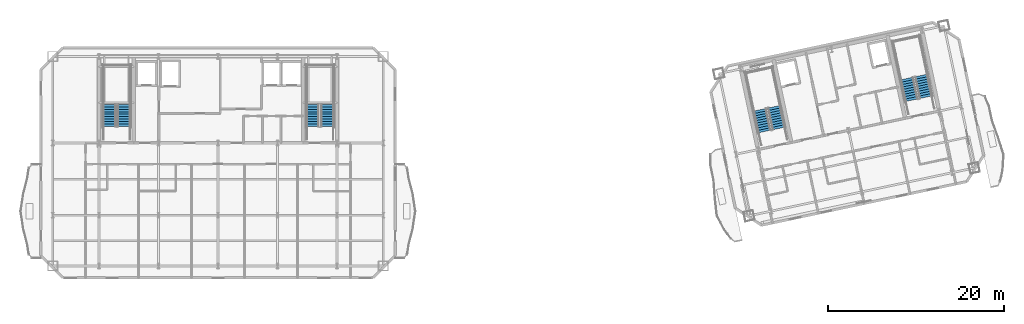
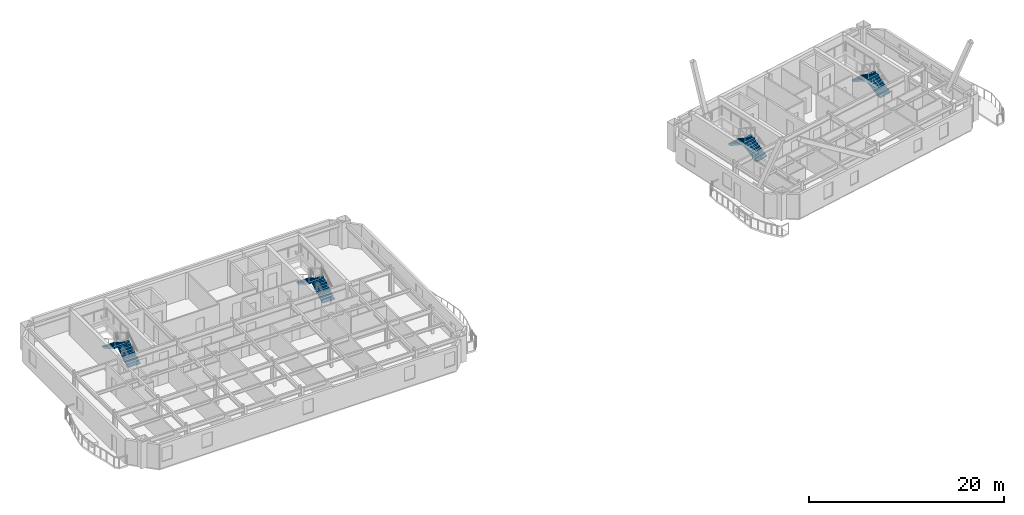
# One storey, part 9 of 13: 8 stair flights, 4 elements without a shape of their own.
"""IFC4 building model written with IfcOpenShell, lengths in metres."""

from ifc_helpers import new_model, si_unit, direction, frame, origin, place, context, subcontext, project, spatial, polyline, outline, extrude, material, type_object, element, aggregate, save


model = new_model("IFC4")

# Units and contexts
model_context = context("Model", 3, precision=1e-05, world=origin(), true_north=direction((0.0, 1.0)))
body_context = subcontext(model_context, "Body", "Model", "MODEL_VIEW")
ifc_project = project(units=[si_unit("LENGTHUNIT", "METRE"), si_unit("AREAUNIT", "SQUARE_METRE"), si_unit("VOLUMEUNIT", "CUBIC_METRE"), si_unit("PLANEANGLEUNIT", "RADIAN"), si_unit("MASSUNIT", "GRAM", prefix="KILO")], contexts=[model_context])

# Site, building, storey
site_placement = place(None, origin())
site = spatial("IfcSite", under=ifc_project, at=site_placement, CompositionType="ELEMENT")
building_placement = place(site_placement, origin())
building = spatial("IfcBuilding", under=site, at=building_placement, Name="Haevon Station Towers", CompositionType="ELEMENT")
storey_placement = place(building_placement, frame((0.0, 0.0, 225.300048828125)))
storey = spatial("IfcBuildingStorey", under=building, at=storey_placement, Name="L62", CompositionType="ELEMENT", Elevation=225.300048828125)

# Stair, stair flights
ifc_material = material(Name="Concrete C40/50", Category="concrete")
stair_type = type_object("IfcStairType", Name="STR-DL1450", PredefinedType="USERDEFINED", material=ifc_material)
stair_1_placement = place(storey_placement, origin())
stair_1 = element("IfcStair", 1, at=stair_1_placement, inside=storey, type_object=stair_type, Name="L62 Escape Stair ST1", ObjectType="TWO_RETURN_STAIR", PredefinedType="USERDEFINED")
stair_flight_type = type_object("IfcStairFlightType", Name="STF-ST1450", PredefinedType="STRAIGHT", material=ifc_material)
stair_flight_1_placement = place(storey_placement, frame((26.85498046875, 40.050048828125, 0.0), z_axis=(0.0, 0.0, 1.0), x_axis=(0.0, 1.0, 0.0)))
stair_flight_1 = element("IfcStairFlight", 2, at=stair_flight_1_placement, type_object=stair_flight_type, Name="L62 ST1 Flight 1", NumberOfRisers=10, NumberOfTreads=9, PredefinedType="STRAIGHT", RiserHeight=0.165, TreadLength=0.28, context=body_context, shape_type="SweptSolid", body=[
    extrude(outline(polyline([(0.0, 0.0), (0.0, 0.1650390625), (0.280029296875, 0.1650390625), (0.280029296875, 0.330078125), (0.56005859375, 0.330078125), (0.56005859375, 0.4951171875), (0.840087890625, 0.4951171875), (0.840087890625, 0.659912109375), (1.1201171875, 0.659912109375), (1.1201171875, 0.824951171875), (1.39990234375, 0.824951171875), (1.39990234375, 0.989990234375), (1.679931640625, 0.989990234375), (1.679931640625, 1.155029296875), (1.9599609375, 1.155029296875), (1.9599609375, 1.320068359375), (2.239990234375, 1.320068359375), (2.239990234375, 1.485107421875), (2.52001953125, 1.485107421875), (2.52001953125, 1.64990234375), (2.52001953125, 1.29931640625), (0.31494140625, 0.0), (0.0, 0.0)])), frame((0.0, 0.72509765625, 0.0), z_axis=(0.0, -1.0, 0.0), x_axis=(1.0, 0.0, 0.0)), (0.0, 0.0, 1.0), 1.449951171875),
])
stair_flight_2_placement = place(storey_placement, frame((25.205078125, 42.570068359375, 1.64990234375), z_axis=(0.0, 0.0, 1.0), x_axis=(0.0, -1.0, 0.0)))
stair_flight_2 = element("IfcStairFlight", 3, at=stair_flight_2_placement, type_object=stair_flight_type, Name="L62 ST1 Flight 2", NumberOfRisers=10, NumberOfTreads=9, PredefinedType="STRAIGHT", RiserHeight=0.165, TreadLength=0.28, context=body_context, shape_type="SweptSolid", body=[
    extrude(outline(polyline([(0.0, 0.0), (0.0, 0.1650390625), (0.280029296875, 0.1650390625), (0.280029296875, 0.330078125), (0.56005859375, 0.330078125), (0.56005859375, 0.4951171875), (0.840087890625, 0.4951171875), (0.840087890625, 0.659912109375), (1.1201171875, 0.659912109375), (1.1201171875, 0.824951171875), (1.39990234375, 0.824951171875), (1.39990234375, 0.989990234375), (1.679931640625, 0.989990234375), (1.679931640625, 1.155029296875), (1.9599609375, 1.155029296875), (1.9599609375, 1.320068359375), (2.239990234375, 1.320068359375), (2.239990234375, 1.485107421875), (2.52001953125, 1.485107421875), (2.52001953125, 1.64990234375), (2.52001953125, 1.29931640625), (0.31494140625, 0.0), (0.0, 0.0)])), frame((0.0, 0.72509765625, 0.0), z_axis=(0.0, -1.0, 0.0), x_axis=(1.0, 0.0, 0.0)), (0.0, 0.0, 1.0), 1.449951171875),
])
aggregate(stair_1, [stair_flight_1, stair_flight_2])

stair_2_placement = place(storey_placement, origin())
stair_2 = element("IfcStair", 4, at=stair_2_placement, inside=storey, type_object=stair_type, Name="L62 Escape Stair ST2", ObjectType="TWO_RETURN_STAIR", PredefinedType="USERDEFINED")
stair_flight_3_placement = place(storey_placement, frame((49.89501953125, 40.050048828125, 0.0), z_axis=(0.0, 0.0, 1.0), x_axis=(0.0, 1.0, 0.0)))
stair_flight_3 = element("IfcStairFlight", 5, at=stair_flight_3_placement, type_object=stair_flight_type, Name="L62 ST2 Flight 1", NumberOfRisers=10, NumberOfTreads=9, PredefinedType="STRAIGHT", RiserHeight=0.165, TreadLength=0.28, context=body_context, shape_type="SweptSolid", body=[
    extrude(outline(polyline([(0.0, 0.0), (0.0, 0.1650390625), (0.280029296875, 0.1650390625), (0.280029296875, 0.330078125), (0.56005859375, 0.330078125), (0.56005859375, 0.4951171875), (0.840087890625, 0.4951171875), (0.840087890625, 0.659912109375), (1.1201171875, 0.659912109375), (1.1201171875, 0.824951171875), (1.39990234375, 0.824951171875), (1.39990234375, 0.989990234375), (1.679931640625, 0.989990234375), (1.679931640625, 1.155029296875), (1.9599609375, 1.155029296875), (1.9599609375, 1.320068359375), (2.239990234375, 1.320068359375), (2.239990234375, 1.485107421875), (2.52001953125, 1.485107421875), (2.52001953125, 1.64990234375), (2.52001953125, 1.29931640625), (0.31494140625, 0.0), (0.0, 0.0)])), frame((0.0, 0.72509765625, 0.0), z_axis=(0.0, -1.0, 0.0), x_axis=(1.0, 0.0, 0.0)), (0.0, 0.0, 1.0), 1.449951171875),
])
stair_flight_4_placement = place(storey_placement, frame((48.2451171875, 42.570068359375, 1.64990234375), z_axis=(0.0, 0.0, 1.0), x_axis=(0.0, -1.0, 0.0)))
stair_flight_4 = element("IfcStairFlight", 6, at=stair_flight_4_placement, type_object=stair_flight_type, Name="L62 ST2 Flight 2", NumberOfRisers=10, NumberOfTreads=9, PredefinedType="STRAIGHT", RiserHeight=0.165, TreadLength=0.28, context=body_context, shape_type="SweptSolid", body=[
    extrude(outline(polyline([(0.0, 0.0), (0.0, 0.1650390625), (0.280029296875, 0.1650390625), (0.280029296875, 0.330078125), (0.56005859375, 0.330078125), (0.56005859375, 0.4951171875), (0.840087890625, 0.4951171875), (0.840087890625, 0.659912109375), (1.1201171875, 0.659912109375), (1.1201171875, 0.824951171875), (1.39990234375, 0.824951171875), (1.39990234375, 0.989990234375), (1.679931640625, 0.989990234375), (1.679931640625, 1.155029296875), (1.9599609375, 1.155029296875), (1.9599609375, 1.320068359375), (2.239990234375, 1.320068359375), (2.239990234375, 1.485107421875), (2.52001953125, 1.485107421875), (2.52001953125, 1.64990234375), (2.52001953125, 1.29931640625), (0.31494140625, 0.0), (0.0, 0.0)])), frame((0.0, 0.72509765625, 0.0), z_axis=(0.0, -1.0, 0.0), x_axis=(1.0, 0.0, 0.0)), (0.0, 0.0, 1.0), 1.449951171875),
])
aggregate(stair_2, [stair_flight_3, stair_flight_4])

stair_3_placement = place(storey_placement, origin())
stair_3 = element("IfcStair", 7, at=stair_3_placement, inside=storey, type_object=stair_type, Name="L62 Escape Stair ST3", ObjectType="TWO_RETURN_STAIR", PredefinedType="USERDEFINED")
stair_flight_5_placement = place(storey_placement, frame((101.1015625, 39.8330078125, 0.0), z_axis=(0.0, 0.0, 1.0), x_axis=(-0.207911690818, 0.978147600734, 0.0)))
stair_flight_5 = element("IfcStairFlight", 8, at=stair_flight_5_placement, type_object=stair_flight_type, Name="L62 ST3 Flight 1", NumberOfRisers=10, NumberOfTreads=9, PredefinedType="STRAIGHT", RiserHeight=0.165, TreadLength=0.28, context=body_context, shape_type="SweptSolid", body=[
    extrude(outline(polyline([(0.0, 0.0), (0.0, 0.1650390625), (0.280029296875, 0.1650390625), (0.280029296875, 0.330078125), (0.56005859375, 0.330078125), (0.56005859375, 0.4951171875), (0.840087890625, 0.4951171875), (0.840087890625, 0.659912109375), (1.1201171875, 0.659912109375), (1.1201171875, 0.824951171875), (1.39990234375, 0.824951171875), (1.39990234375, 0.989990234375), (1.679931640625, 0.989990234375), (1.679931640625, 1.155029296875), (1.9599609375, 1.155029296875), (1.9599609375, 1.320068359375), (2.239990234375, 1.320068359375), (2.239990234375, 1.485107421875), (2.52001953125, 1.485107421875), (2.52001953125, 1.64990234375), (2.52001953125, 1.29931640625), (0.31494140625, 0.0), (0.0, 0.0)])), frame((0.0, 0.72509765625, 0.0), z_axis=(0.0, -1.0, 0.0), x_axis=(1.0, 0.0, 0.0)), (0.0, 0.0, 1.0), 1.449951171875),
])
stair_flight_6_placement = place(storey_placement, frame((98.9638671875, 41.955078125, 1.64990234375), z_axis=(0.0, 0.0, 1.0), x_axis=(0.207911690818, -0.978147600734, 0.0)))
stair_flight_6 = element("IfcStairFlight", 9, at=stair_flight_6_placement, type_object=stair_flight_type, Name="L62 ST3 Flight 2", NumberOfRisers=10, NumberOfTreads=9, PredefinedType="STRAIGHT", RiserHeight=0.165, TreadLength=0.28, context=body_context, shape_type="SweptSolid", body=[
    extrude(outline(polyline([(0.0, 0.0), (0.0, 0.1650390625), (0.280029296875, 0.1650390625), (0.280029296875, 0.330078125), (0.56005859375, 0.330078125), (0.56005859375, 0.4951171875), (0.840087890625, 0.4951171875), (0.840087890625, 0.659912109375), (1.1201171875, 0.659912109375), (1.1201171875, 0.824951171875), (1.39990234375, 0.824951171875), (1.39990234375, 0.989990234375), (1.679931640625, 0.989990234375), (1.679931640625, 1.155029296875), (1.9599609375, 1.155029296875), (1.9599609375, 1.320068359375), (2.239990234375, 1.320068359375), (2.239990234375, 1.485107421875), (2.52001953125, 1.485107421875), (2.52001953125, 1.64990234375), (2.52001953125, 1.29931640625), (0.31494140625, 0.0), (0.0, 0.0)])), frame((0.0, 0.72509765625, 0.0), z_axis=(0.0, -1.0, 0.0), x_axis=(1.0, 0.0, 0.0)), (0.0, 0.0, 1.0), 1.449951171875),
])
aggregate(stair_3, [stair_flight_5, stair_flight_6])

stair_4_placement = place(storey_placement, origin())
stair_4 = element("IfcStair", 10, at=stair_4_placement, inside=storey, type_object=stair_type, Name="L62 Escape Stair ST4", ObjectType="TWO_RETURN_STAIR", PredefinedType="USERDEFINED")
stair_flight_7_placement = place(storey_placement, frame((117.788818359375, 43.380126953125, 0.0), z_axis=(0.0, 0.0, 1.0), x_axis=(-0.207911690818, 0.978147600734, 0.0)))
stair_flight_7 = element("IfcStairFlight", 11, at=stair_flight_7_placement, type_object=stair_flight_type, Name="L62 ST4 Flight 1", NumberOfRisers=10, NumberOfTreads=9, PredefinedType="STRAIGHT", RiserHeight=0.165, TreadLength=0.28, context=body_context, shape_type="SweptSolid", body=[
    extrude(outline(polyline([(0.0, 0.0), (0.0, 0.1650390625), (0.280029296875, 0.1650390625), (0.280029296875, 0.330078125), (0.56005859375, 0.330078125), (0.56005859375, 0.4951171875), (0.840087890625, 0.4951171875), (0.840087890625, 0.659912109375), (1.1201171875, 0.659912109375), (1.1201171875, 0.824951171875), (1.39990234375, 0.824951171875), (1.39990234375, 0.989990234375), (1.679931640625, 0.989990234375), (1.679931640625, 1.155029296875), (1.9599609375, 1.155029296875), (1.9599609375, 1.320068359375), (2.239990234375, 1.320068359375), (2.239990234375, 1.485107421875), (2.52001953125, 1.485107421875), (2.52001953125, 1.64990234375), (2.52001953125, 1.29931640625), (0.31494140625, 0.0), (0.0, 0.0)])), frame((0.0, 0.72509765625, 0.0), z_axis=(0.0, -1.0, 0.0), x_axis=(1.0, 0.0, 0.0)), (0.0, 0.0, 1.0), 1.449951171875),
])
stair_flight_8_placement = place(storey_placement, frame((115.65087890625, 45.501953125, 1.64990234375), z_axis=(0.0, 0.0, 1.0), x_axis=(0.207911690818, -0.978147600734, 0.0)))
stair_flight_8 = element("IfcStairFlight", 12, at=stair_flight_8_placement, type_object=stair_flight_type, Name="L62 ST4 Flight 2", NumberOfRisers=10, NumberOfTreads=9, PredefinedType="STRAIGHT", RiserHeight=0.165, TreadLength=0.28, context=body_context, shape_type="SweptSolid", body=[
    extrude(outline(polyline([(0.0, 0.0), (0.0, 0.1650390625), (0.280029296875, 0.1650390625), (0.280029296875, 0.330078125), (0.56005859375, 0.330078125), (0.56005859375, 0.4951171875), (0.840087890625, 0.4951171875), (0.840087890625, 0.659912109375), (1.1201171875, 0.659912109375), (1.1201171875, 0.824951171875), (1.39990234375, 0.824951171875), (1.39990234375, 0.989990234375), (1.679931640625, 0.989990234375), (1.679931640625, 1.155029296875), (1.9599609375, 1.155029296875), (1.9599609375, 1.320068359375), (2.239990234375, 1.320068359375), (2.239990234375, 1.485107421875), (2.52001953125, 1.485107421875), (2.52001953125, 1.64990234375), (2.52001953125, 1.29931640625), (0.31494140625, 0.0), (0.0, 0.0)])), frame((0.0, 0.72509765625, 0.0), z_axis=(0.0, -1.0, 0.0), x_axis=(1.0, 0.0, 0.0)), (0.0, 0.0, 1.0), 1.449951171875),
])
aggregate(stair_4, [stair_flight_7, stair_flight_8])

save(model, "model.ifc")
